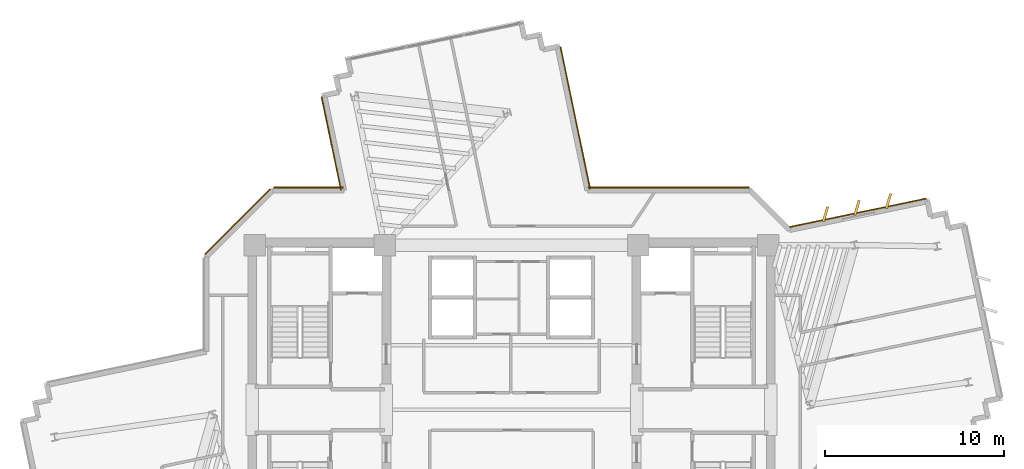
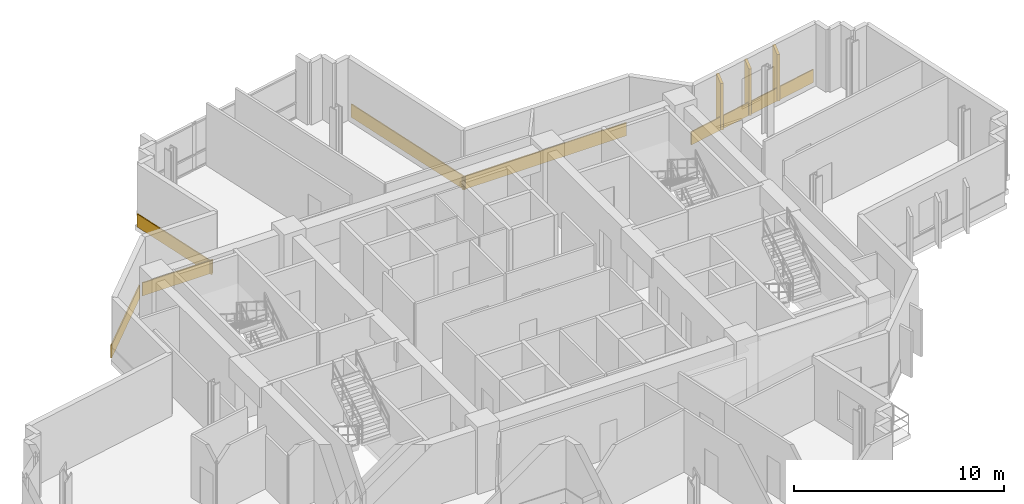
# One storey, part 14 of 14: 9 coverings.
"""IFC4 building model written with IfcOpenShell, lengths in metres."""

from ifc_helpers import new_model, si_unit, direction, frame, origin, origin_2d, place, context, subcontext, project, spatial, rectangle, extrude, source, transform, mapped, material, layer, layer_set, type_object, element, save


model = new_model("IFC4")

# Units and contexts
model_context = context("Model", 3, precision=1e-05, world=origin(), true_north=direction((0.0, 1.0)))
body_context = subcontext(model_context, "Body", "Model", "MODEL_VIEW")
ifc_project = project(units=[si_unit("LENGTHUNIT", "METRE"), si_unit("AREAUNIT", "SQUARE_METRE"), si_unit("VOLUMEUNIT", "CUBIC_METRE"), si_unit("PLANEANGLEUNIT", "RADIAN"), si_unit("MASSUNIT", "GRAM", prefix="KILO")], contexts=[model_context])

# Site, building, storey
site_placement = place(None, origin())
site = spatial("IfcSite", under=ifc_project, at=site_placement, CompositionType="ELEMENT")
building_placement = place(site_placement, origin())
building = spatial("IfcBuilding", under=site, at=building_placement, Name="Zahravan Cultural Tower", CompositionType="ELEMENT")
storey_placement = place(building_placement, frame((0.0, 0.0, 166.800048828125)))
storey = spatial("IfcBuildingStorey", under=building, at=storey_placement, Name="L38", CompositionType="ELEMENT", Elevation=166.800048828125)

# Coverings
ifc_material = material(Name="Terracotta ceramic cladding", Category="masonry")
ifc_layer = layer(ifc_material, 0.06005859375)
ifc_layer_set = layer_set([ifc_layer], Name="Terracotta ceramic cladding")
covering_type = type_object("IfcCoveringType", Name="COV-CLAD-TC60", PredefinedType="CLADDING", material=ifc_layer_set)
shared_shape_1 = source(origin(), body_context, "Body", "SweptSolid", [
    extrude(rectangle(XDim=5.157958984375, YDim=0.06005859375, at=origin_2d()), origin(), (0.0, 0.0, 1.0), 0.760009765625),
])
covering_1_placement = place(storey_placement, frame((20.682373046875, 37.517578125, 0.02001953125), z_axis=(0.0, 0.0, 1.0), x_axis=(0.707106781187, 0.707106781187, 0.0)))
element("IfcCovering", 1, at=covering_1_placement, inside=storey, type_object=covering_type, Name="L38 Terracotta Spandrel Cladding 39", PredefinedType="CLADDING", context=body_context, shape_type="MappedRepresentation", body=[
    mapped(shared_shape_1, transform((0.0, 0.0, 0.0), x_axis=(1.0, 0.0, 0.0), y_axis=(0.0, 1.0, 0.0), z_axis=(0.0, 0.0, 1.0), scale=1.0)),
])
shared_shape_2 = source(origin(), body_context, "Body", "SweptSolid", [
    extrude(rectangle(XDim=0.8798828125, YDim=0.139892578125, at=origin_2d()), origin(), (0.0, 0.0, 1.0), 2.699951171875),
])
for number, where, z_axis, x_axis, name in (
    (2, (53.55859375, 37.9248046875, 0.0498046875), (0.0, 0.0, 1.0), (0.279326294767, 0.960196240907, 0.0), "L38 Herringbone Terracotta Fin 01"),
    (3, (55.32080078125, 38.292236328125, 0.0498046875), (0.0, 0.0, 1.0), (0.279326294767, 0.960196240907, 0.0), "L38 Herringbone Terracotta Fin 02"),
    (4, (57.082763671875, 38.659912109375, 0.0498046875), (0.0, 0.0, 1.0), (0.279326294767, 0.960196240907, 0.0), "L38 Herringbone Terracotta Fin 03"),
):
    element("IfcCovering", number, at=place(storey_placement, frame(where, z_axis=z_axis, x_axis=x_axis)), inside=storey, type_object=covering_type, Name=name, PredefinedType="CLADDING", context=body_context, shape_type="MappedRepresentation", body=[
        mapped(shared_shape_2, transform((0.0, 0.0, 0.0), x_axis=(1.0, 0.0, 0.0), y_axis=(0.0, 1.0, 0.0), z_axis=(0.0, 0.0, 1.0), scale=1.0)),
    ])
shared_shape_3 = source(origin(), body_context, "Body", "SweptSolid", [
    extrude(rectangle(XDim=7.781494140625, YDim=0.06005859375, at=origin_2d()), origin(), (0.0, 0.0, 1.0), 0.760009765625),
])
covering_2_placement = place(storey_placement, frame((55.37890625, 38.01318359375, 0.02001953125), z_axis=(0.0, 0.0, 1.0), x_axis=(0.978938711712, 0.204154350213, 0.0)))
element("IfcCovering", 5, at=covering_2_placement, inside=storey, type_object=covering_type, Name="L38 Terracotta Spandrel Cladding 01", PredefinedType="CLADDING", context=body_context, shape_type="MappedRepresentation", body=[
    mapped(shared_shape_3, transform((0.0, 0.0, 0.0), x_axis=(1.0, 0.0, 0.0), y_axis=(0.0, 1.0, 0.0), z_axis=(0.0, 0.0, 1.0), scale=1.0)),
])
shared_shape_4 = source(origin(), body_context, "Body", "SweptSolid", [
    extrude(rectangle(XDim=3.8818359375, YDim=0.06005859375, at=origin_2d()), origin(), (0.0, 0.0, 1.0), 0.760009765625),
])
covering_3_placement = place(storey_placement, frame((24.64892578125, 39.425048828125, 0.02001953125), z_axis=(0.0, 0.0, 1.0), x_axis=(1.0, 0.0, 0.0)))
element("IfcCovering", 6, at=covering_3_placement, inside=storey, type_object=covering_type, Name="L38 Terracotta Spandrel Cladding 40", PredefinedType="CLADDING", context=body_context, shape_type="MappedRepresentation", body=[
    mapped(shared_shape_4, transform((0.0, 0.0, 0.0), x_axis=(1.0, 0.0, 0.0), y_axis=(0.0, 1.0, 0.0), z_axis=(0.0, 0.0, 1.0), scale=1.0)),
])
shared_shape_5 = source(origin(), body_context, "Body", "SweptSolid", [
    extrude(rectangle(XDim=5.347412109375, YDim=0.06005859375, at=origin_2d()), origin(), (0.0, 0.0, 1.0), 0.760009765625),
])
covering_4_placement = place(storey_placement, frame((25.92236328125, 41.892578125, 0.02001953125), z_axis=(0.0, 0.0, 1.0), x_axis=(-0.204154350213, 0.978938711712, 0.0)))
element("IfcCovering", 7, at=covering_4_placement, inside=storey, type_object=covering_type, Name="L38 Terracotta Spandrel Cladding 41", PredefinedType="CLADDING", context=body_context, shape_type="MappedRepresentation", body=[
    mapped(shared_shape_5, transform((0.0, 0.0, 0.0), x_axis=(1.0, 0.0, 0.0), y_axis=(0.0, 1.0, 0.0), z_axis=(0.0, 0.0, 1.0), scale=1.0)),
])
shared_shape_6 = source(origin(), body_context, "Body", "SweptSolid", [
    extrude(rectangle(XDim=8.125244140625, YDim=0.06005859375, at=origin_2d()), origin(), (0.0, 0.0, 1.0), 0.760009765625),
])
covering_5_placement = place(storey_placement, frame((39.568359375, 43.319580078125, 0.02001953125), z_axis=(0.0, 0.0, 1.0), x_axis=(0.204154350213, -0.978938711712, 0.0)))
element("IfcCovering", 8, at=covering_5_placement, inside=storey, type_object=covering_type, Name="L38 Terracotta Spandrel Cladding 50", PredefinedType="CLADDING", context=body_context, shape_type="MappedRepresentation", body=[
    mapped(shared_shape_6, transform((0.0, 0.0, 0.0), x_axis=(1.0, 0.0, 0.0), y_axis=(0.0, 1.0, 0.0), z_axis=(0.0, 0.0, 1.0), scale=1.0)),
])
shared_shape_7 = source(origin(), body_context, "Body", "SweptSolid", [
    extrude(rectangle(XDim=8.99560546875, YDim=0.06005859375, at=origin_2d()), origin(), (0.0, 0.0, 1.0), 0.760009765625),
])
covering_6_placement = place(storey_placement, frame((44.794189453125, 39.425048828125, 0.02001953125), z_axis=(0.0, 0.0, 1.0), x_axis=(1.0, 0.0, 0.0)))
element("IfcCovering", 9, at=covering_6_placement, inside=storey, type_object=covering_type, Name="L38 Terracotta Spandrel Cladding 51", PredefinedType="CLADDING", context=body_context, shape_type="MappedRepresentation", body=[
    mapped(shared_shape_7, transform((0.0, 0.0, 0.0), x_axis=(1.0, 0.0, 0.0), y_axis=(0.0, 1.0, 0.0), z_axis=(0.0, 0.0, 1.0), scale=1.0)),
])

save(model, "model.ifc")
